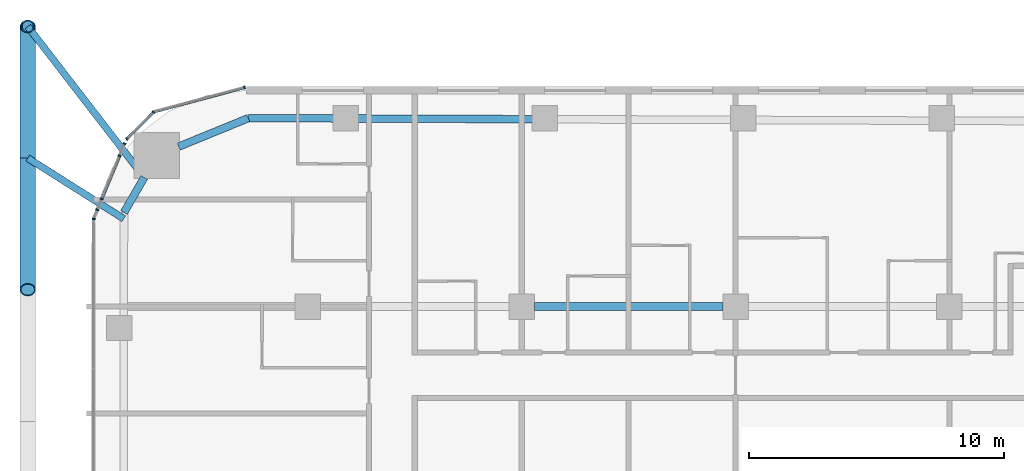
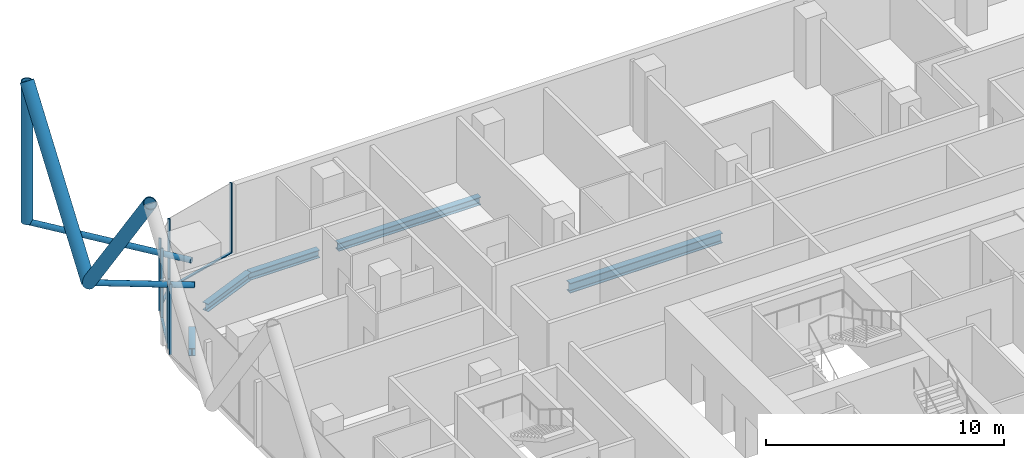
# One storey, part 10 of 38: 16 members, 5 beams, 7 elements without a shape of their own.
"""IFC4 building model written with IfcOpenShell, lengths in metres."""

import ifcopenshell
import ifcopenshell.guid

model = None  # the IFC model being written
_history = None  # IfcOwnerHistory: only IFC2X3 demands one
_inside = {}  # id of a spatial element -> (the spatial element, [elements in it])
_under = {}  # id of a project, library or spatial element -> (it, [spatial elements below it])
_declared = {}  # id of a project -> (the project, [libraries it declares])
_typed = {}  # id of a type object -> (the type object, [elements of that type])
_made_of = {}  # id of a material, layer set ... -> (it, [elements and type objects made of it])


def new_model(schema):
    """Start an empty IFC model of exactly this schema.

    Asked for "IFC4X3", IfcOpenShell would pick the latest addendum, in which some entities
    have other attributes; the version numbers below select the first issue.
    IFC2X3 requires an IfcOwnerHistory on every rooted entity: one is made here for all.
    """
    global model, _history
    if schema == "IFC4X3":
        model = ifcopenshell.file(schema_version=(4, 3, 0, 0))
    else:
        model = ifcopenshell.file(schema=schema)
    _inside.clear()
    _under.clear()
    _declared.clear()
    _typed.clear()
    _made_of.clear()
    _history = None
    if model.schema == "IFC2X3":
        org = make("IfcOrganization", Name="unknown")
        user = make(
            "IfcPersonAndOrganization",
            ThePerson=make("IfcPerson", FamilyName="unknown"),
            TheOrganization=org,
        )
        app = make(
            "IfcApplication",
            ApplicationDeveloper=org,
            Version="unknown",
            ApplicationFullName="unknown",
            ApplicationIdentifier="unknown",
        )
        _history = make(
            "IfcOwnerHistory",
            OwningUser=user,
            OwningApplication=app,
            ChangeAction="ADDED",
            CreationDate=0,
        )
    return model


def make(cls, **values):
    """One entity of the class cls with the attributes given. An attribute that is None is left unset."""
    return model.create_entity(
        cls, **{name: value for name, value in values.items() if value is not None}
    )


def rooted(cls, **values):
    """An entity with a GlobalId (a new one), such as an element, a storey or a relation."""
    return make(cls, GlobalId=ifcopenshell.guid.new(), OwnerHistory=_history, **values)


def si_unit(unit_type, name, prefix=None):
    """IfcSIUnit, for example si_unit("LENGTHUNIT", "METRE", prefix="MILLI")."""
    return make("IfcSIUnit", UnitType=unit_type, Prefix=prefix, Name=name)


def assignment(units):
    """IfcUnitAssignment: the units of a project."""
    return None if units is None else make("IfcUnitAssignment", Units=units)


def point(xyz):
    """IfcCartesianPoint."""
    return None if xyz is None else make("IfcCartesianPoint", Coordinates=xyz)


def direction(xyz):
    """IfcDirection."""
    return None if xyz is None else make("IfcDirection", DirectionRatios=xyz)


def frame(location, z_axis=None, x_axis=None):
    """IfcAxis2Placement3D, a coordinate frame: its origin and axes. An axis left out is left unset."""
    return make(
        "IfcAxis2Placement3D",
        Location=point(location),
        Axis=direction(z_axis),
        RefDirection=direction(x_axis),
    )


def frame_2d(location, x_axis=None):
    """IfcAxis2Placement2D, a coordinate frame in the plane: its origin and x axis."""
    return make(
        "IfcAxis2Placement2D", Location=point(location), RefDirection=direction(x_axis)
    )


def origin():
    """The frame at (0, 0, 0) with its axes left unset."""
    return frame((0.0, 0.0, 0.0))


def origin_2d():
    """The frame at (0, 0) in the plane with its x axis left unset."""
    return frame_2d((0.0, 0.0))


def place(relative_to, where):
    """IfcLocalPlacement: puts the frame where relative to a parent placement (None: the world)."""
    return make(
        "IfcLocalPlacement", PlacementRelTo=relative_to, RelativePlacement=where
    )


def context(
    kind, dimensions, precision=None, world=None, true_north=None, identifier=None
):
    """IfcGeometricRepresentationContext, for example the 3D "Model" context."""
    return make(
        "IfcGeometricRepresentationContext",
        ContextIdentifier=identifier,
        ContextType=kind,
        CoordinateSpaceDimension=dimensions,
        Precision=precision,
        WorldCoordinateSystem=world,
        TrueNorth=true_north,
    )


def subcontext(parent, identifier, kind, view, scale=None):
    """IfcGeometricRepresentationSubContext, for example "Body" below "Model"."""
    return make(
        "IfcGeometricRepresentationSubContext",
        ContextIdentifier=identifier,
        ContextType=kind,
        ParentContext=parent,
        TargetScale=scale,
        TargetView=view,
    )


def project(units=None, contexts=None):
    """IfcProject with its units and contexts."""
    return rooted(
        "IfcProject",
        Name="project",
        RepresentationContexts=contexts,
        UnitsInContext=assignment(units),
    )


def spatial(cls, under=None, at=None, **own):
    """A site, building, storey or space (cls), placed at a placement, below another one or the project."""
    s = rooted(cls, ObjectPlacement=at, **own)
    if under is not None:
        _under.setdefault(under.id(), (under, []))[1].append(s)
    return s


def profile(cls, at=None, kind="AREA", **sizes):
    """A parametric profile (cls). Its sizes go by their IFC names, for example OverallWidth=200.0."""
    return make(cls, ProfileType=kind, Position=at, **sizes)


def rectangle(**sizes):
    """IfcRectangleProfileDef."""
    return profile("IfcRectangleProfileDef", **sizes)


def hollow_circle(**sizes):
    """IfcCircleHollowProfileDef."""
    return profile("IfcCircleHollowProfileDef", **sizes)


def i_section(**sizes):
    """IfcIShapeProfileDef."""
    return profile("IfcIShapeProfileDef", **sizes)


def extrude(swept, where, along, depth):
    """IfcExtrudedAreaSolid: the profile swept, set in the frame where, extruded along a direction by depth."""
    return make(
        "IfcExtrudedAreaSolid",
        SweptArea=swept,
        Position=where,
        ExtrudedDirection=direction(along),
        Depth=depth,
    )


def shape(context_of_items, identifier, shape_type, items):
    """IfcShapeRepresentation: the items that make up one representation, for example the "Body"."""
    return make(
        "IfcShapeRepresentation",
        ContextOfItems=context_of_items,
        RepresentationIdentifier=identifier,
        RepresentationType=shape_type,
        Items=items,
    )


def material(Name=None, Category=None):
    """IfcMaterial."""
    return make("IfcMaterial", Name=Name, Category=Category)


def layer(
    of_material, thickness, ventilated=None, Name=None, Category=None, Priority=None
):
    """IfcMaterialLayer: one layer of a wall or slab, of a material (None: an air gap)."""
    return make(
        "IfcMaterialLayer",
        Material=of_material,
        LayerThickness=thickness,
        IsVentilated=ventilated,
        Name=Name,
        Category=Category,
        Priority=Priority,
    )


def layer_set(layers, Name=None):
    """IfcMaterialLayerSet."""
    return make("IfcMaterialLayerSet", MaterialLayers=layers, LayerSetName=Name)


def material_profile(
    of_material, cross_section, Name=None, Category=None, Priority=None
):
    """IfcMaterialProfile: a cross section and its material."""
    return make(
        "IfcMaterialProfile",
        Name=Name,
        Material=of_material,
        Profile=cross_section,
        Priority=Priority,
        Category=Category,
    )


def profile_set(profiles, Name=None, composite=None):
    """IfcMaterialProfileSet."""
    return make(
        "IfcMaterialProfileSet",
        Name=Name,
        MaterialProfiles=profiles,
        CompositeProfile=composite,
    )


def made_of(thing, what):
    """Note that an element or type object is made of a material, layer set ...; save() writes the relation."""
    if what is not None:
        _made_of.setdefault(what.id(), (what, []))[1].append(thing)
    return thing


def type_object(cls, material=None, **own):
    """A type object (cls), such as IfcWallType, which elements share."""
    return made_of(rooted(cls, **own), material)


def element(
    cls,
    number,
    at=None,
    inside=None,
    cuts=None,
    type_object=None,
    material=None,
    context=None,
    identifier="Body",
    shape_type=None,
    held_by="IfcProductDefinitionShape",
    body=None,
    shapes=None,
    **own,
):
    """One element of the class cls, such as IfcWall. Its Tag is "e" and its number.

    at: its placement. inside: the storey or other place that contains it. cuts: it is an
    opening in that element (IfcRelVoidsElement). A single representation is given by context,
    identifier, shape_type and body (its items); several are given by shapes. held_by: the class
    of the entity that holds the representations. save() writes the other relations.
    """
    e = rooted(cls, Tag="e%d" % number, ObjectPlacement=at, **own)
    if body is not None:
        shapes = [shape(context, identifier, shape_type, body)]
    if shapes is not None:
        e.Representation = make(held_by, Representations=shapes)
    if inside is not None:
        _inside.setdefault(inside.id(), (inside, []))[1].append(e)
    if cuts is not None:
        rooted(
            "IfcRelVoidsElement", RelatingBuildingElement=cuts, RelatedOpeningElement=e
        )
    if type_object is not None:
        _typed.setdefault(type_object.id(), (type_object, []))[1].append(e)
    return made_of(e, material)


def aggregate(whole, parts):
    """IfcRelAggregates: a whole, such as a stair, and the parts it consists of."""
    return rooted("IfcRelAggregates", RelatingObject=whole, RelatedObjects=parts)


def save(model, path):
    """Write the relations noted so far, then the file.

    IfcRelAggregates (storeys below a building ...), IfcRelContainedInSpatialStructure (elements
    in a storey), IfcRelDefinesByType, IfcRelAssociatesMaterial and IfcRelDeclares: one each for
    every whole, place, type object, material and project.
    """
    for whole, parts in _under.values():
        aggregate(whole, parts)
    for where, things in _inside.values():
        rooted(
            "IfcRelContainedInSpatialStructure",
            RelatedElements=things,
            RelatingStructure=where,
        )
    for kind, things in _typed.values():
        rooted("IfcRelDefinesByType", RelatedObjects=things, RelatingType=kind)
    for what, things in _made_of.values():
        rooted("IfcRelAssociatesMaterial", RelatedObjects=things, RelatingMaterial=what)
    for by, libraries in _declared.values():
        rooted("IfcRelDeclares", RelatingContext=by, RelatedDefinitions=libraries)
    model.write(path)


model = new_model("IFC4")

# Units and contexts
model_context = context("Model", 3, precision=1e-05, world=origin(), true_north=direction((0.0, 1.0)))
body_context = subcontext(model_context, "Body", "Model", "MODEL_VIEW")
ifc_project = project(units=[si_unit("LENGTHUNIT", "METRE"), si_unit("AREAUNIT", "SQUARE_METRE"), si_unit("VOLUMEUNIT", "CUBIC_METRE"), si_unit("PLANEANGLEUNIT", "RADIAN"), si_unit("MASSUNIT", "GRAM", prefix="KILO")], contexts=[model_context])

# Site, building, storey
site_placement = place(None, origin())
site = spatial("IfcSite", under=ifc_project, at=site_placement, CompositionType="ELEMENT")
building_placement = place(site_placement, origin())
building = spatial("IfcBuilding", under=site, at=building_placement, Name="Marenta Gate Hotel Tower", CompositionType="ELEMENT")
storey_placement = place(building_placement, frame((0.0, 0.0, 54.5)))
storey = spatial("IfcBuildingStorey", under=building, at=storey_placement, Name="L11", CompositionType="ELEMENT", Elevation=54.5)

# Members
ifc_material_1 = material(Name="Steel S355J2W", Category="steel")
ifc_material_profile_1 = material_profile(ifc_material_1, hollow_circle(Radius=0.25390625, WallThickness=0.0400390625, at=origin_2d()), Name="CHS 508x40")
ifc_profile_set_1 = profile_set([ifc_material_profile_1], Name="Steel S355J2W")
member_type_1 = type_object("IfcMemberType", Name="Diagrid corner post Z1 CHS 508x40", PredefinedType="POST", material=ifc_profile_set_1)
member_1_placement = place(storey_placement, frame((-32.0, 36.199951171875, 3.139892578125), z_axis=(0.0, 0.0, 1.0), x_axis=(1.0, 0.0, 0.0)))
element("IfcMember", 1, at=member_1_placement, inside=storey, type_object=member_type_1, Name="L11-DR-6", PredefinedType="POST", context=body_context, shape_type="SweptSolid", body=[
    extrude(hollow_circle(Radius=0.25390625, WallThickness=0.0400390625, at=origin_2d()), origin(), (0.0, 0.0, 1.0), 7.2001953125),
])
ifc_material_2 = material(Name="Steel S355J2W", Category="steel")
ifc_material_profile_2 = material_profile(ifc_material_2, hollow_circle(Radius=0.304931640625, WallThickness=0.0400390625, at=origin_2d()), Name="CHS 610x40")
ifc_profile_set_2 = profile_set([ifc_material_profile_2], Name="Steel S355J2W")
member_type_2 = type_object("IfcMemberType", Name="Diagrid diagonal Z1 CHS 610x40", PredefinedType="BRACE", material=ifc_profile_set_2)
for number, where, z_axis, x_axis, name in (
    (2, (-32.0, 31.030029296875, 3.139892578125), (0.0, -0.583247791947, 0.812294289767), (1.0, 0.0, 0.0), "L11-DG-33"),
    (3, (-32.0, 31.030029296875, 3.139892578125), (0.0, 0.583247791947, 0.812294289767), (-1.0, 0.0, 0.0), "L11-DG-34"),
):
    element("IfcMember", number, at=place(storey_placement, frame(where, z_axis=z_axis, x_axis=x_axis)), inside=storey, type_object=member_type_2, Name=name, PredefinedType="BRACE", context=body_context, shape_type="SweptSolid", body=[
        extrude(hollow_circle(Radius=0.304931640625, WallThickness=0.0400390625, at=origin_2d()), origin(), (0.0, 0.0, 1.0), 8.864013671875),
    ])

# Beams
ifc_material_3 = material(Name="Steel S355", Category="steel")
ifc_material_profile_3 = material_profile(ifc_material_3, i_section(OverallWidth=0.300048828125, OverallDepth=0.39990234375, WebThickness=0.013427734375, FlangeThickness=0.02392578125, FilletRadius=0.027099609375, at=origin_2d()), Name="HEB 400")
ifc_profile_set_3 = profile_set([ifc_material_profile_3], Name="Steel S355")
beam_type_1 = type_object("IfcBeamType", Name="Edge beam HEB 400", PredefinedType="SPANDREL", material=ifc_profile_set_3)
beam_1_placement = place(storey_placement, frame((-28.221435546875, 28.891845703125, -0.4599609375), z_axis=(0.500098681536, 0.865968422476, 0.0), x_axis=(-0.865968422476, 0.500098681536, 0.0)))
element("IfcBeam", 4, at=beam_1_placement, inside=storey, type_object=beam_type_1, Name="L11-EB-11", PredefinedType="SPANDREL", context=body_context, shape_type="SweptSolid", body=[
    extrude(i_section(OverallWidth=0.300048828125, OverallDepth=0.39990234375, WebThickness=0.013427734375, FlangeThickness=0.02392578125, FilletRadius=0.027099609375, at=origin_2d()), origin(), (0.0, 0.0, 1.0), 1.591552734375),
])
beam_2_placement = place(storey_placement, frame((-26.072509765625, 31.47998046875, -0.4599609375), z_axis=(0.925545641603, 0.378636059177, 0.0), x_axis=(-0.378636059177, 0.925545641603, 0.0)))
element("IfcBeam", 5, at=beam_2_placement, inside=storey, type_object=beam_type_1, Name="L11-EB-12", PredefinedType="SPANDREL", context=body_context, shape_type="SweptSolid", body=[
    extrude(i_section(OverallWidth=0.300048828125, OverallDepth=0.39990234375, WebThickness=0.013427734375, FlangeThickness=0.02392578125, FilletRadius=0.027099609375, at=origin_2d()), origin(), (0.0, 0.0, 1.0), 2.958251953125),
])
beam_3_placement = place(storey_placement, frame((-23.33447265625, 32.60009765625, -0.4599609375), z_axis=(0.999992894549, -0.00376972818, 0.0), x_axis=(0.00376972818, 0.999992894549, 0.0)))
element("IfcBeam", 6, at=beam_3_placement, inside=storey, type_object=beam_type_1, Name="L11-EB-13", PredefinedType="SPANDREL", context=body_context, shape_type="SweptSolid", body=[
    extrude(i_section(OverallWidth=0.300048828125, OverallDepth=0.39990234375, WebThickness=0.013427734375, FlangeThickness=0.02392578125, FilletRadius=0.027099609375, at=origin_2d()), origin(), (0.0, 0.0, 1.0), 3.36767578125),
])
beam_4_placement = place(storey_placement, frame((-19.046875, 32.583984375, -0.4599609375), z_axis=(0.999993064268, -0.003724435008, 0.0), x_axis=(0.003724435008, 0.999993064268, 0.0)))
element("IfcBeam", 7, at=beam_4_placement, inside=storey, type_object=beam_type_1, Name="L11-EB-14", PredefinedType="SPANDREL", context=body_context, shape_type="SweptSolid", body=[
    extrude(i_section(OverallWidth=0.300048828125, OverallDepth=0.39990234375, WebThickness=0.013427734375, FlangeThickness=0.02392578125, FilletRadius=0.027099609375, at=origin_2d()), origin(), (0.0, 0.0, 1.0), 6.8828125),
])

# Members
ifc_material_4 = material(Name="Steel S355J2W", Category="steel")
ifc_material_profile_4 = material_profile(ifc_material_4, hollow_circle(Radius=0.136474609375, WallThickness=0.012451171875, at=origin_2d()), Name="CHS 273x12.5")
ifc_profile_set_4 = profile_set([ifc_material_profile_4], Name="Steel S355J2W")
member_type_3 = type_object("IfcMemberType", Name="Floor tie CHS 273x12.5", PredefinedType="STRUT", material=ifc_profile_set_4)
member_2_placement = place(storey_placement, frame((-32.0, 31.030029296875, 3.139892578125), z_axis=(0.845282103526, -0.534320283592, 0.0), x_axis=(0.534320283592, 0.845282103526, 0.0)))
element("IfcMember", 8, at=member_2_placement, inside=storey, type_object=member_type_3, Name="L11-DR-21", PredefinedType="STRUT", context=body_context, shape_type="SweptSolid", body=[
    extrude(hollow_circle(Radius=0.136474609375, WallThickness=0.012451171875, at=origin_2d()), origin(), (0.0, 0.0, 1.0), 4.4619140625),
])
member_3_placement = place(storey_placement, frame((-32.0, 36.199951171875, 3.139892578125), z_axis=(0.610809299032, -0.791777746729, 0.0), x_axis=(0.791777746729, 0.610809299032, 0.0)))
element("IfcMember", 9, at=member_3_placement, inside=storey, type_object=member_type_3, Name="L11-DR-22", PredefinedType="STRUT", context=body_context, shape_type="SweptSolid", body=[
    extrude(hollow_circle(Radius=0.136474609375, WallThickness=0.012451171875, at=origin_2d()), origin(), (0.0, 0.0, 1.0), 7.48193359375),
])

# Beam
ifc_material_5 = material(Name="Steel S355", Category="steel")
ifc_material_profile_5 = material_profile(ifc_material_5, i_section(OverallWidth=0.300048828125, OverallDepth=0.5, WebThickness=0.014404296875, FlangeThickness=0.028076171875, FilletRadius=0.027099609375, at=origin_2d()), Name="HEB 500")
ifc_profile_set_5 = profile_set([ifc_material_profile_5], Name="Steel S355")
beam_type_2 = type_object("IfcBeamType", Name="Girder HEB 500", PredefinedType="BEAM", material=ifc_profile_set_5)
beam_5_placement = place(storey_placement, frame((-12.10009765625, 25.199951171875, -0.510009765625), z_axis=(1.0, 0.0, 0.0), x_axis=(0.0, 1.0, 0.0)))
element("IfcBeam", 10, at=beam_5_placement, inside=storey, type_object=beam_type_2, Name="L11-GD-24", PredefinedType="BEAM", context=body_context, shape_type="SweptSolid", body=[
    extrude(i_section(OverallWidth=0.300048828125, OverallDepth=0.5, WebThickness=0.014404296875, FlangeThickness=0.028076171875, FilletRadius=0.027099609375, at=origin_2d()), origin(), (0.0, 0.0, 1.0), 7.400146484375),
])

# Curtain wall, member
ifc_material_6 = material(Name="Tinted insulated glass in bronze anodised frame", Category="glass")
ifc_layer = layer(ifc_material_6, 0.1201171875)
ifc_layer_set = layer_set([ifc_layer], Name="Tinted insulated glass in bronze anodised frame")
curtain_wall_type = type_object("IfcCurtainWallType", Name="Tower unitised curtain wall CW1", PredefinedType="NOTDEFINED", material=ifc_layer_set)
curtain_wall_1_placement = place(storey_placement, origin())
curtain_wall_1 = element("IfcCurtainWall", 11, at=curtain_wall_1_placement, inside=storey, type_object=curtain_wall_type, Name="CW1 run G00", PredefinedType="NOTDEFINED")
ifc_material_7 = material(Name="Bronze anodised aluminium", Category="aluminium")
ifc_material_profile_6 = material_profile(ifc_material_7, rectangle(XDim=0.1201171875, YDim=0.06005859375, at=origin_2d()), Name="Mullion CW1 60x120 bronze anodised aluminium")
ifc_profile_set_6 = profile_set([ifc_material_profile_6], Name="Bronze anodised aluminium")
member_type_4 = type_object("IfcMemberType", Name="Mullion CW1 60x120 bronze anodised aluminium", PredefinedType="MULLION", material=ifc_profile_set_6)
member_4_placement = place(storey_placement, frame((-23.485595703125, 33.80322265625, 0.0), z_axis=(0.0, 0.0, 1.0), x_axis=(0.258801657317, -0.965930485164, 0.0)))
member_4 = element("IfcMember", 12, at=member_4_placement, type_object=member_type_4, Name="CW1 mullion 1", PredefinedType="MULLION", context=body_context, shape_type="SweptSolid", body=[
    extrude(rectangle(XDim=0.1201171875, YDim=0.06005859375, at=origin_2d()), origin(), (0.0, 0.0, 1.0), 3.60009765625),
])

# Curtain wall, members
curtain_wall_2_placement = place(storey_placement, origin())
curtain_wall_2 = element("IfcCurtainWall", 13, at=curtain_wall_2_placement, inside=storey, type_object=curtain_wall_type, Name="CW1 run G01", PredefinedType="NOTDEFINED")
member_5_placement = place(storey_placement, frame((-27.06103515625, 32.82958984375, 0.0), z_axis=(0.0, 0.0, 1.0), x_axis=(0.707106781187, -0.707106781187, 0.0)))
member_5 = element("IfcMember", 14, at=member_5_placement, type_object=member_type_4, Name="CW1 mullion 1", PredefinedType="MULLION", context=body_context, shape_type="SweptSolid", body=[
    extrude(rectangle(XDim=0.1201171875, YDim=0.06005859375, at=origin_2d()), origin(), (0.0, 0.0, 1.0), 3.60009765625),
])
member_6_placement = place(storey_placement, frame((-28.109619140625, 31.781005859375, 0.0), z_axis=(0.0, 0.0, 1.0), x_axis=(0.707106781187, -0.707106781187, 0.0)))
member_6 = element("IfcMember", 15, at=member_6_placement, type_object=member_type_4, Name="CW1 mullion 2", PredefinedType="MULLION", context=body_context, shape_type="SweptSolid", body=[
    extrude(rectangle(XDim=0.1201171875, YDim=0.06005859375, at=origin_2d()), origin(), (0.0, 0.0, 1.0), 3.60009765625),
])

# Curtain wall, member
curtain_wall_3_placement = place(storey_placement, origin())
curtain_wall_3 = element("IfcCurtainWall", 16, at=curtain_wall_3_placement, inside=storey, type_object=curtain_wall_type, Name="CW1 run G02", PredefinedType="NOTDEFINED")
member_7_placement = place(storey_placement, frame((-28.197509765625, 31.59912109375, 0.0), z_axis=(0.0, 0.0, 1.0), x_axis=(0.923879170538, -0.382684306245, 0.0)))
member_7 = element("IfcMember", 17, at=member_7_placement, type_object=member_type_4, Name="CW1 mullion 1", PredefinedType="MULLION", context=body_context, shape_type="SweptSolid", body=[
    extrude(rectangle(XDim=0.1201171875, YDim=0.06005859375, at=origin_2d()), origin(), (0.0, 0.0, 1.0), 3.00048828125),
])
aggregate(curtain_wall_3, [member_7])

curtain_wall_4_placement = place(storey_placement, origin())
curtain_wall_4 = element("IfcCurtainWall", 18, at=curtain_wall_4_placement, inside=storey, type_object=curtain_wall_type, Name="CW1 run G03", PredefinedType="NOTDEFINED")
member_8_placement = place(storey_placement, frame((-28.3974609375, 31.116455078125, 0.0), z_axis=(0.0, 0.0, 1.0), x_axis=(0.923879455147, -0.382683619138, 0.0)))
member_8 = element("IfcMember", 19, at=member_8_placement, type_object=member_type_4, Name="CW1 mullion 1", PredefinedType="MULLION", context=body_context, shape_type="SweptSolid", body=[
    extrude(rectangle(XDim=0.1201171875, YDim=0.06005859375, at=origin_2d()), origin(), (0.0, 0.0, 1.0), 3.60009765625),
])

curtain_wall_5_placement = place(storey_placement, origin())
curtain_wall_5 = element("IfcCurtainWall", 20, at=curtain_wall_5_placement, inside=storey, type_object=curtain_wall_type, Name="CW1 run G04", PredefinedType="NOTDEFINED")
member_9_placement = place(storey_placement, frame((-29.0966796875, 29.427978515625, 0.0), z_axis=(0.0, 0.0, 1.0), x_axis=(0.923815303293, -0.382838458625, 0.0)))
member_9 = element("IfcMember", 21, at=member_9_placement, type_object=member_type_4, Name="CW1 mullion 1", PredefinedType="MULLION", context=body_context, shape_type="SweptSolid", body=[
    extrude(rectangle(XDim=0.1201171875, YDim=0.06005859375, at=origin_2d()), origin(), (0.0, 0.0, 1.0), 3.00048828125),
])
aggregate(curtain_wall_5, [member_9])

curtain_wall_6_placement = place(storey_placement, origin())
curtain_wall_6 = element("IfcCurtainWall", 22, at=curtain_wall_6_placement, inside=storey, type_object=curtain_wall_type, Name="CW1 run G05", PredefinedType="NOTDEFINED")
member_10_placement = place(storey_placement, frame((-29.272705078125, 29.003173828125, 0.0), z_axis=(0.0, 0.0, 1.0), x_axis=(0.923973627119, -0.382456188848, 0.0)))
member_10 = element("IfcMember", 23, at=member_10_placement, type_object=member_type_4, Name="CW1 mullion 1", PredefinedType="MULLION", context=body_context, shape_type="SweptSolid", body=[
    extrude(rectangle(XDim=0.1201171875, YDim=0.06005859375, at=origin_2d()), origin(), (0.0, 0.0, 1.0), 3.60009765625),
])
aggregate(curtain_wall_6, [member_10])

curtain_wall_7_placement = place(storey_placement, origin())
curtain_wall_7 = element("IfcCurtainWall", 24, at=curtain_wall_7_placement, inside=storey, type_object=curtain_wall_type, Name="CW1 run G06", PredefinedType="NOTDEFINED")
member_11_placement = place(storey_placement, frame((-29.412353515625, 28.63623046875, 0.0), z_axis=(0.0, 0.0, 1.0), x_axis=(0.999998767315, -0.001570149369, 0.0)))
member_11 = element("IfcMember", 25, at=member_11_placement, type_object=member_type_4, Name="CW1 mullion 1", PredefinedType="MULLION", context=body_context, shape_type="SweptSolid", body=[
    extrude(rectangle(XDim=0.1201171875, YDim=0.06005859375, at=origin_2d()), origin(), (0.0, 0.0, 1.0), 3.60009765625),
])
aggregate(curtain_wall_7, [member_11])

# Member
ifc_material_8 = material(Name="Bronze anodised aluminium", Category="aluminium")
ifc_material_profile_7 = material_profile(ifc_material_8, rectangle(XDim=0.1201171875, YDim=0.06005859375, at=origin_2d()), Name="Transom CW1 60x120 bronze anodised aluminium")
ifc_profile_set_7 = profile_set([ifc_material_profile_7], Name="Bronze anodised aluminium")
member_type_5 = type_object("IfcMemberType", Name="Transom CW1 60x120 bronze anodised aluminium", PredefinedType="USERDEFINED", material=ifc_profile_set_7)
member_12_placement = place(storey_placement, frame((-23.514404296875, 33.79541015625, 0.030029296875), z_axis=(-0.965928942389, -0.258807415381, 0.0), x_axis=(0.258807415381, -0.965928942389, 0.0)))
member_12 = element("IfcMember", 26, at=member_12_placement, type_object=member_type_5, Name="CW1 transom 1.1", ObjectType="TRANSOM", PredefinedType="USERDEFINED", context=body_context, shape_type="SweptSolid", body=[
    extrude(rectangle(XDim=0.1201171875, YDim=0.06005859375, at=origin_2d()), origin(), (0.0, 0.0, 1.0), 3.649658203125),
])

aggregate(curtain_wall_1, [member_4, member_12])

member_13_placement = place(storey_placement, frame((-27.082275390625, 32.80859375, 0.030029296875), z_axis=(-0.707020993286, -0.707192558681, 0.0), x_axis=(0.707192558681, -0.707020993286, 0.0)))
member_13 = element("IfcMember", 27, at=member_13_placement, type_object=member_type_5, Name="CW1 transom 1.1", ObjectType="TRANSOM", PredefinedType="USERDEFINED", context=body_context, shape_type="SweptSolid", body=[
    extrude(rectangle(XDim=0.1201171875, YDim=0.06005859375, at=origin_2d()), origin(), (0.0, 0.0, 1.0), 1.423095703125),
])

aggregate(curtain_wall_2, [member_5, member_6, member_13])

member_14_placement = place(storey_placement, frame((-28.408935546875, 31.0888671875, 0.030029296875), z_axis=(-0.38260390766, -0.923912468713, 0.0), x_axis=(0.923912468713, -0.38260390766, 0.0)))
member_14 = element("IfcMember", 28, at=member_14_placement, type_object=member_type_5, Name="CW1 transom 1.1", ObjectType="TRANSOM", PredefinedType="USERDEFINED", context=body_context, shape_type="SweptSolid", body=[
    extrude(rectangle(XDim=0.1201171875, YDim=0.06005859375, at=origin_2d()), origin(), (0.0, 0.0, 1.0), 1.767578125),
])

aggregate(curtain_wall_4, [member_8, member_14])

save(model, "model.ifc")
